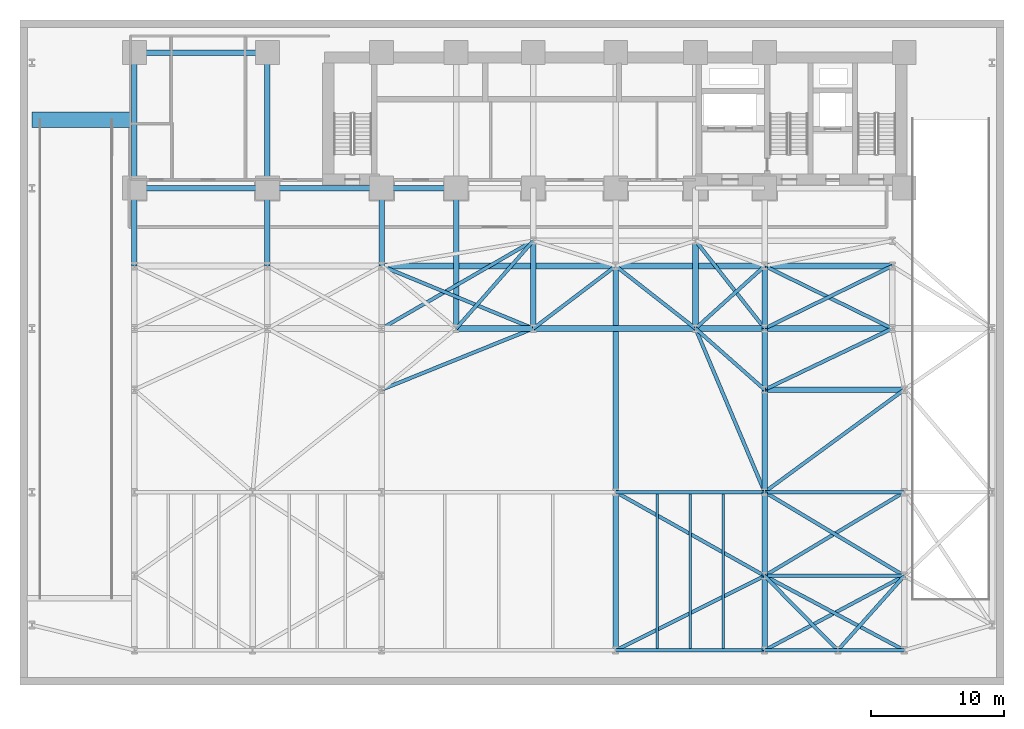
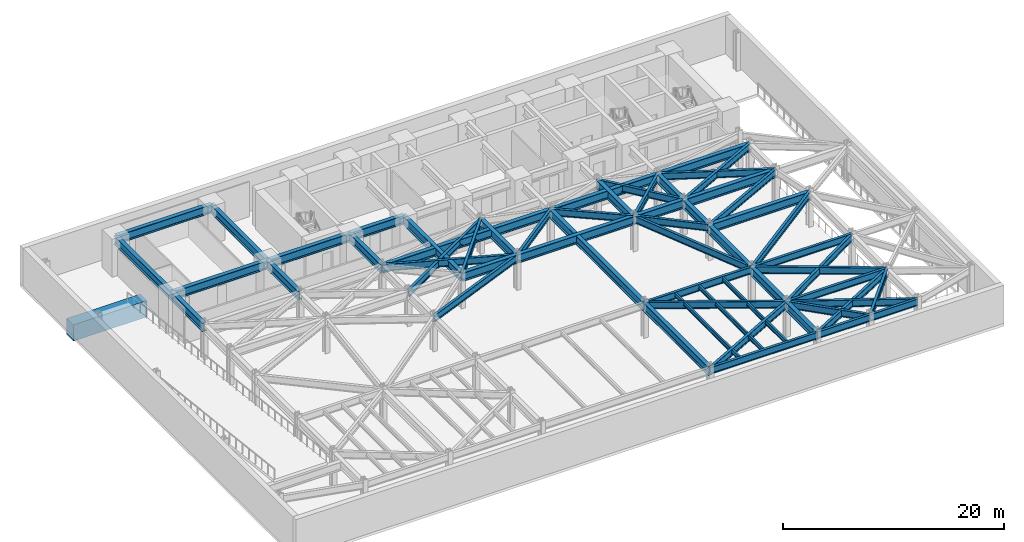
# One storey, part 2 of 11: 59 beams.
"""IFC4 building model written with IfcOpenShell, lengths in metres."""

import ifcopenshell
import ifcopenshell.guid

model = None  # the IFC model being written
_history = None  # IfcOwnerHistory: only IFC2X3 demands one
_inside = {}  # id of a spatial element -> (the spatial element, [elements in it])
_under = {}  # id of a project, library or spatial element -> (it, [spatial elements below it])
_declared = {}  # id of a project -> (the project, [libraries it declares])
_typed = {}  # id of a type object -> (the type object, [elements of that type])
_made_of = {}  # id of a material, layer set ... -> (it, [elements and type objects made of it])


def new_model(schema):
    """Start an empty IFC model of exactly this schema.

    Asked for "IFC4X3", IfcOpenShell would pick the latest addendum, in which some entities
    have other attributes; the version numbers below select the first issue.
    IFC2X3 requires an IfcOwnerHistory on every rooted entity: one is made here for all.
    """
    global model, _history
    if schema == "IFC4X3":
        model = ifcopenshell.file(schema_version=(4, 3, 0, 0))
    else:
        model = ifcopenshell.file(schema=schema)
    _inside.clear()
    _under.clear()
    _declared.clear()
    _typed.clear()
    _made_of.clear()
    _history = None
    if model.schema == "IFC2X3":
        org = make("IfcOrganization", Name="unknown")
        user = make(
            "IfcPersonAndOrganization",
            ThePerson=make("IfcPerson", FamilyName="unknown"),
            TheOrganization=org,
        )
        app = make(
            "IfcApplication",
            ApplicationDeveloper=org,
            Version="unknown",
            ApplicationFullName="unknown",
            ApplicationIdentifier="unknown",
        )
        _history = make(
            "IfcOwnerHistory",
            OwningUser=user,
            OwningApplication=app,
            ChangeAction="ADDED",
            CreationDate=0,
        )
    return model


def make(cls, **values):
    """One entity of the class cls with the attributes given. An attribute that is None is left unset."""
    return model.create_entity(
        cls, **{name: value for name, value in values.items() if value is not None}
    )


def rooted(cls, **values):
    """An entity with a GlobalId (a new one), such as an element, a storey or a relation."""
    return make(cls, GlobalId=ifcopenshell.guid.new(), OwnerHistory=_history, **values)


def si_unit(unit_type, name, prefix=None):
    """IfcSIUnit, for example si_unit("LENGTHUNIT", "METRE", prefix="MILLI")."""
    return make("IfcSIUnit", UnitType=unit_type, Prefix=prefix, Name=name)


def assignment(units):
    """IfcUnitAssignment: the units of a project."""
    return None if units is None else make("IfcUnitAssignment", Units=units)


def point(xyz):
    """IfcCartesianPoint."""
    return None if xyz is None else make("IfcCartesianPoint", Coordinates=xyz)


def direction(xyz):
    """IfcDirection."""
    return None if xyz is None else make("IfcDirection", DirectionRatios=xyz)


def frame(location, z_axis=None, x_axis=None):
    """IfcAxis2Placement3D, a coordinate frame: its origin and axes. An axis left out is left unset."""
    return make(
        "IfcAxis2Placement3D",
        Location=point(location),
        Axis=direction(z_axis),
        RefDirection=direction(x_axis),
    )


def frame_2d(location, x_axis=None):
    """IfcAxis2Placement2D, a coordinate frame in the plane: its origin and x axis."""
    return make(
        "IfcAxis2Placement2D", Location=point(location), RefDirection=direction(x_axis)
    )


def origin():
    """The frame at (0, 0, 0) with its axes left unset."""
    return frame((0.0, 0.0, 0.0))


def origin_2d():
    """The frame at (0, 0) in the plane with its x axis left unset."""
    return frame_2d((0.0, 0.0))


def place(relative_to, where):
    """IfcLocalPlacement: puts the frame where relative to a parent placement (None: the world)."""
    return make(
        "IfcLocalPlacement", PlacementRelTo=relative_to, RelativePlacement=where
    )


def context(
    kind, dimensions, precision=None, world=None, true_north=None, identifier=None
):
    """IfcGeometricRepresentationContext, for example the 3D "Model" context."""
    return make(
        "IfcGeometricRepresentationContext",
        ContextIdentifier=identifier,
        ContextType=kind,
        CoordinateSpaceDimension=dimensions,
        Precision=precision,
        WorldCoordinateSystem=world,
        TrueNorth=true_north,
    )


def subcontext(parent, identifier, kind, view, scale=None):
    """IfcGeometricRepresentationSubContext, for example "Body" below "Model"."""
    return make(
        "IfcGeometricRepresentationSubContext",
        ContextIdentifier=identifier,
        ContextType=kind,
        ParentContext=parent,
        TargetScale=scale,
        TargetView=view,
    )


def project(units=None, contexts=None):
    """IfcProject with its units and contexts."""
    return rooted(
        "IfcProject",
        Name="project",
        RepresentationContexts=contexts,
        UnitsInContext=assignment(units),
    )


def spatial(cls, under=None, at=None, **own):
    """A site, building, storey or space (cls), placed at a placement, below another one or the project."""
    s = rooted(cls, ObjectPlacement=at, **own)
    if under is not None:
        _under.setdefault(under.id(), (under, []))[1].append(s)
    return s


def profile(cls, at=None, kind="AREA", **sizes):
    """A parametric profile (cls). Its sizes go by their IFC names, for example OverallWidth=200.0."""
    return make(cls, ProfileType=kind, Position=at, **sizes)


def rectangle(**sizes):
    """IfcRectangleProfileDef."""
    return profile("IfcRectangleProfileDef", **sizes)


def i_section(**sizes):
    """IfcIShapeProfileDef."""
    return profile("IfcIShapeProfileDef", **sizes)


def extrude(swept, where, along, depth):
    """IfcExtrudedAreaSolid: the profile swept, set in the frame where, extruded along a direction by depth."""
    return make(
        "IfcExtrudedAreaSolid",
        SweptArea=swept,
        Position=where,
        ExtrudedDirection=direction(along),
        Depth=depth,
    )


def shape(context_of_items, identifier, shape_type, items):
    """IfcShapeRepresentation: the items that make up one representation, for example the "Body"."""
    return make(
        "IfcShapeRepresentation",
        ContextOfItems=context_of_items,
        RepresentationIdentifier=identifier,
        RepresentationType=shape_type,
        Items=items,
    )


def material(Name=None, Category=None):
    """IfcMaterial."""
    return make("IfcMaterial", Name=Name, Category=Category)


def material_profile(
    of_material, cross_section, Name=None, Category=None, Priority=None
):
    """IfcMaterialProfile: a cross section and its material."""
    return make(
        "IfcMaterialProfile",
        Name=Name,
        Material=of_material,
        Profile=cross_section,
        Priority=Priority,
        Category=Category,
    )


def profile_set(profiles, Name=None, composite=None):
    """IfcMaterialProfileSet."""
    return make(
        "IfcMaterialProfileSet",
        Name=Name,
        MaterialProfiles=profiles,
        CompositeProfile=composite,
    )


def made_of(thing, what):
    """Note that an element or type object is made of a material, layer set ...; save() writes the relation."""
    if what is not None:
        _made_of.setdefault(what.id(), (what, []))[1].append(thing)
    return thing


def type_object(cls, material=None, **own):
    """A type object (cls), such as IfcWallType, which elements share."""
    return made_of(rooted(cls, **own), material)


def element(
    cls,
    number,
    at=None,
    inside=None,
    cuts=None,
    type_object=None,
    material=None,
    context=None,
    identifier="Body",
    shape_type=None,
    held_by="IfcProductDefinitionShape",
    body=None,
    shapes=None,
    **own,
):
    """One element of the class cls, such as IfcWall. Its Tag is "e" and its number.

    at: its placement. inside: the storey or other place that contains it. cuts: it is an
    opening in that element (IfcRelVoidsElement). A single representation is given by context,
    identifier, shape_type and body (its items); several are given by shapes. held_by: the class
    of the entity that holds the representations. save() writes the other relations.
    """
    e = rooted(cls, Tag="e%d" % number, ObjectPlacement=at, **own)
    if body is not None:
        shapes = [shape(context, identifier, shape_type, body)]
    if shapes is not None:
        e.Representation = make(held_by, Representations=shapes)
    if inside is not None:
        _inside.setdefault(inside.id(), (inside, []))[1].append(e)
    if cuts is not None:
        rooted(
            "IfcRelVoidsElement", RelatingBuildingElement=cuts, RelatedOpeningElement=e
        )
    if type_object is not None:
        _typed.setdefault(type_object.id(), (type_object, []))[1].append(e)
    return made_of(e, material)


def aggregate(whole, parts):
    """IfcRelAggregates: a whole, such as a stair, and the parts it consists of."""
    return rooted("IfcRelAggregates", RelatingObject=whole, RelatedObjects=parts)


def save(model, path):
    """Write the relations noted so far, then the file.

    IfcRelAggregates (storeys below a building ...), IfcRelContainedInSpatialStructure (elements
    in a storey), IfcRelDefinesByType, IfcRelAssociatesMaterial and IfcRelDeclares: one each for
    every whole, place, type object, material and project.
    """
    for whole, parts in _under.values():
        aggregate(whole, parts)
    for where, things in _inside.values():
        rooted(
            "IfcRelContainedInSpatialStructure",
            RelatedElements=things,
            RelatingStructure=where,
        )
    for kind, things in _typed.values():
        rooted("IfcRelDefinesByType", RelatedObjects=things, RelatingType=kind)
    for what, things in _made_of.values():
        rooted("IfcRelAssociatesMaterial", RelatedObjects=things, RelatingMaterial=what)
    for by, libraries in _declared.values():
        rooted("IfcRelDeclares", RelatingContext=by, RelatedDefinitions=libraries)
    model.write(path)


model = new_model("IFC4")

# Units and contexts
model_context = context("Model", 3, precision=1e-05, world=origin(), true_north=direction((0.0, 1.0)))
body_context = subcontext(model_context, "Body", "Model", "MODEL_VIEW")
ifc_project = project(units=[si_unit("LENGTHUNIT", "METRE"), si_unit("AREAUNIT", "SQUARE_METRE"), si_unit("VOLUMEUNIT", "CUBIC_METRE"), si_unit("PLANEANGLEUNIT", "RADIAN"), si_unit("MASSUNIT", "GRAM", prefix="KILO")], contexts=[model_context])

# Site, building, storey
site_placement = place(None, origin())
site = spatial("IfcSite", under=ifc_project, at=site_placement, CompositionType="ELEMENT")
building_placement = place(site_placement, origin())
building = spatial("IfcBuilding", under=site, at=building_placement, Name="Kravanh Interchange Tower", CompositionType="ELEMENT")
storey_placement = place(building_placement, frame((0.0, 0.0, -4.199951171875)))
storey = spatial("IfcBuildingStorey", under=building, at=storey_placement, Name="B1", CompositionType="ELEMENT", Elevation=-4.199951171875)

# Beams
ifc_material_1 = material(Name="Structural Steel S450", Category="steel")
ifc_material_profile_1 = material_profile(ifc_material_1, i_section(OverallWidth=0.423095703125, OverallDepth=0.947998046875, WebThickness=0.02392578125, FlangeThickness=0.042724609375, FilletRadius=0.028076171875, at=origin_2d()), Name="W36X302")
ifc_profile_set_1 = profile_set([ifc_material_profile_1], Name="Structural Steel S450")
beam_type_1 = type_object("IfcBeamType", Name="Floor Beam W36X302 Structural Steel S450", PredefinedType="BEAM", material=ifc_profile_set_1)
beam_1_placement = place(storey_placement, frame((44.800048828125, 2.60009765625, 3.3759765625), z_axis=(0.0, 1.0, 0.0), x_axis=(-1.0, 0.0, 0.0)))
element("IfcBeam", 1, at=beam_1_placement, inside=storey, type_object=beam_type_1, Name="B1 Primary Floor Girder 11", PredefinedType="BEAM", context=body_context, shape_type="SweptSolid", body=[
    extrude(i_section(OverallWidth=0.423095703125, OverallDepth=0.947998046875, WebThickness=0.02392578125, FlangeThickness=0.042724609375, FilletRadius=0.028076171875, at=origin_2d()), origin(), (0.0, 0.0, 1.0), 11.89990234375),
])
beam_2_placement = place(storey_placement, frame((56.0, 2.60009765625, 3.3759765625), z_axis=(0.0, 1.0, 0.0), x_axis=(-1.0, 0.0, 0.0)))
element("IfcBeam", 2, at=beam_2_placement, inside=storey, type_object=beam_type_1, Name="B1 Primary Floor Girder 14", PredefinedType="BEAM", context=body_context, shape_type="SweptSolid", body=[
    extrude(i_section(OverallWidth=0.423095703125, OverallDepth=0.947998046875, WebThickness=0.02392578125, FlangeThickness=0.042724609375, FilletRadius=0.028076171875, at=origin_2d()), origin(), (0.0, 0.0, 1.0), 5.599853515625),
])
beam_3_placement = place(storey_placement, frame((56.0, 8.199951171875, 3.3759765625), z_axis=(0.0, 1.0, 0.0), x_axis=(-1.0, 0.0, 0.0)))
element("IfcBeam", 3, at=beam_3_placement, inside=storey, type_object=beam_type_1, Name="B1 Primary Floor Girder 29", PredefinedType="BEAM", context=body_context, shape_type="SweptSolid", body=[
    extrude(i_section(OverallWidth=0.423095703125, OverallDepth=0.947998046875, WebThickness=0.02392578125, FlangeThickness=0.042724609375, FilletRadius=0.028076171875, at=origin_2d()), origin(), (0.0, 0.0, 1.0), 6.300048828125),
])
beam_4_placement = place(storey_placement, frame((44.800048828125, 14.5, 3.3759765625), z_axis=(0.0, 1.0, 0.0), x_axis=(-1.0, 0.0, 0.0)))
element("IfcBeam", 4, at=beam_4_placement, inside=storey, type_object=beam_type_1, Name="B1 Primary Floor Girder 48", PredefinedType="BEAM", context=body_context, shape_type="SweptSolid", body=[
    extrude(i_section(OverallWidth=0.423095703125, OverallDepth=0.947998046875, WebThickness=0.02392578125, FlangeThickness=0.042724609375, FilletRadius=0.028076171875, at=origin_2d()), origin(), (0.0, 0.0, 1.0), 17.0),
])
beam_5_placement = place(storey_placement, frame((56.0, 14.5, 3.3759765625), z_axis=(0.0, 1.0, 0.0), x_axis=(-1.0, 0.0, 0.0)))
element("IfcBeam", 5, at=beam_5_placement, inside=storey, type_object=beam_type_1, Name="B1 Primary Floor Girder 49", PredefinedType="BEAM", context=body_context, shape_type="SweptSolid", body=[
    extrude(i_section(OverallWidth=0.423095703125, OverallDepth=0.947998046875, WebThickness=0.02392578125, FlangeThickness=0.042724609375, FilletRadius=0.028076171875, at=origin_2d()), origin(), (0.0, 0.0, 1.0), 7.699951171875),
])
beam_6_placement = place(storey_placement, frame((56.0, 22.199951171875, 3.3759765625), z_axis=(0.0, 1.0, 0.0), x_axis=(-1.0, 0.0, 0.0)))
element("IfcBeam", 6, at=beam_6_placement, inside=storey, type_object=beam_type_1, Name="B1 Primary Floor Girder 65", PredefinedType="BEAM", context=body_context, shape_type="SweptSolid", body=[
    extrude(i_section(OverallWidth=0.423095703125, OverallDepth=0.947998046875, WebThickness=0.02392578125, FlangeThickness=0.042724609375, FilletRadius=0.028076171875, at=origin_2d()), origin(), (0.0, 0.0, 1.0), 4.60009765625),
])
beam_7_placement = place(storey_placement, frame((56.0, 22.199951171875, 3.3759765625), z_axis=(1.0, 0.0, 0.0), x_axis=(0.0, 1.0, 0.0)))
element("IfcBeam", 7, at=beam_7_placement, inside=storey, type_object=beam_type_1, Name="B1 Primary Floor Girder 67", PredefinedType="BEAM", context=body_context, shape_type="SweptSolid", body=[
    extrude(i_section(OverallWidth=0.423095703125, OverallDepth=0.947998046875, WebThickness=0.02392578125, FlangeThickness=0.042724609375, FilletRadius=0.028076171875, at=origin_2d()), origin(), (0.0, 0.0, 1.0), 10.5),
])
beam_8_placement = place(storey_placement, frame((32.800048828125, 26.800048828125, 3.3759765625), z_axis=(1.0, 0.0, 0.0), x_axis=(0.0, 1.0, 0.0)))
element("IfcBeam", 8, at=beam_8_placement, inside=storey, type_object=beam_type_1, Name="B1 Primary Floor Girder 85", PredefinedType="BEAM", context=body_context, shape_type="SweptSolid", body=[
    extrude(i_section(OverallWidth=0.423095703125, OverallDepth=0.947998046875, WebThickness=0.02392578125, FlangeThickness=0.042724609375, FilletRadius=0.028076171875, at=origin_2d()), origin(), (0.0, 0.0, 1.0), 5.800048828125),
])
beam_9_placement = place(storey_placement, frame((32.800048828125, 26.800048828125, 3.3759765625), z_axis=(0.0, 1.0, 0.0), x_axis=(-1.0, 0.0, 0.0)))
element("IfcBeam", 9, at=beam_9_placement, inside=storey, type_object=beam_type_1, Name="B1 Primary Floor Girder 88", PredefinedType="BEAM", context=body_context, shape_type="SweptSolid", body=[
    extrude(i_section(OverallWidth=0.423095703125, OverallDepth=0.947998046875, WebThickness=0.02392578125, FlangeThickness=0.042724609375, FilletRadius=0.028076171875, at=origin_2d()), origin(), (0.0, 0.0, 1.0), 10.550048828125),
])
beam_10_placement = place(storey_placement, frame((38.60009765625, 26.800048828125, 3.3759765625), z_axis=(0.0, 1.0, 0.0), x_axis=(-1.0, 0.0, 0.0)))
element("IfcBeam", 10, at=beam_10_placement, inside=storey, type_object=beam_type_1, Name="B1 Primary Floor Girder 89", PredefinedType="BEAM", context=body_context, shape_type="SweptSolid", body=[
    extrude(i_section(OverallWidth=0.423095703125, OverallDepth=0.947998046875, WebThickness=0.02392578125, FlangeThickness=0.042724609375, FilletRadius=0.028076171875, at=origin_2d()), origin(), (0.0, 0.0, 1.0), 6.599853515625),
])
beam_11_placement = place(storey_placement, frame((38.60009765625, 26.800048828125, 3.3759765625), z_axis=(1.0, 0.0, 0.0), x_axis=(0.0, 1.0, 0.0)))
element("IfcBeam", 11, at=beam_11_placement, inside=storey, type_object=beam_type_1, Name="B1 Primary Floor Girder 91", PredefinedType="BEAM", context=body_context, shape_type="SweptSolid", body=[
    extrude(i_section(OverallWidth=0.423095703125, OverallDepth=0.947998046875, WebThickness=0.02392578125, FlangeThickness=0.042724609375, FilletRadius=0.028076171875, at=origin_2d()), origin(), (0.0, 0.0, 1.0), 12.199951171875),
])
beam_12_placement = place(storey_placement, frame((50.800048828125, 26.800048828125, 3.3759765625), z_axis=(1.0, 0.0, 0.0), x_axis=(0.0, 1.0, 0.0)))
element("IfcBeam", 12, at=beam_12_placement, inside=storey, type_object=beam_type_1, Name="B1 Primary Floor Girder 93", PredefinedType="BEAM", context=body_context, shape_type="SweptSolid", body=[
    extrude(i_section(OverallWidth=0.423095703125, OverallDepth=0.947998046875, WebThickness=0.02392578125, FlangeThickness=0.042724609375, FilletRadius=0.028076171875, at=origin_2d()), origin(), (0.0, 0.0, 1.0), 5.199951171875),
])
beam_13_placement = place(storey_placement, frame((50.800048828125, 26.800048828125, 3.3759765625), z_axis=(0.0, 1.0, 0.0), x_axis=(-1.0, 0.0, 0.0)))
element("IfcBeam", 13, at=beam_13_placement, inside=storey, type_object=beam_type_1, Name="B1 Primary Floor Girder 94", PredefinedType="BEAM", context=body_context, shape_type="SweptSolid", body=[
    extrude(i_section(OverallWidth=0.423095703125, OverallDepth=0.947998046875, WebThickness=0.02392578125, FlangeThickness=0.042724609375, FilletRadius=0.028076171875, at=origin_2d()), origin(), (0.0, 0.0, 1.0), 6.599853515625),
])
beam_14_placement = place(storey_placement, frame((56.0, 26.800048828125, 3.3759765625), z_axis=(0.0, 1.0, 0.0), x_axis=(-1.0, 0.0, 0.0)))
element("IfcBeam", 14, at=beam_14_placement, inside=storey, type_object=beam_type_1, Name="B1 Primary Floor Girder 97", PredefinedType="BEAM", context=body_context, shape_type="SweptSolid", body=[
    extrude(i_section(OverallWidth=0.423095703125, OverallDepth=0.947998046875, WebThickness=0.02392578125, FlangeThickness=0.042724609375, FilletRadius=0.028076171875, at=origin_2d()), origin(), (0.0, 0.0, 1.0), 4.699951171875),
])
beam_15_placement = place(storey_placement, frame((56.0, 26.800048828125, 3.3759765625), z_axis=(1.0, 0.0, 0.0), x_axis=(0.0, 1.0, 0.0)))
element("IfcBeam", 15, at=beam_15_placement, inside=storey, type_object=beam_type_1, Name="B1 Primary Floor Girder 99", PredefinedType="BEAM", context=body_context, shape_type="SweptSolid", body=[
    extrude(i_section(OverallWidth=0.423095703125, OverallDepth=0.947998046875, WebThickness=0.02392578125, FlangeThickness=0.042724609375, FilletRadius=0.028076171875, at=origin_2d()), origin(), (0.0, 0.0, 1.0), 9.60009765625),
])
for number, where, z_axis, x_axis, name in (
    (16, (8.60009765625, 31.5, 3.3759765625), (0.0, 1.0, 0.0), (-1.0, 0.0, 0.0), "B1 Primary Floor Girder 104"),
    (17, (18.60009765625, 31.5, 3.3759765625), (0.0, 1.0, 0.0), (-1.0, 0.0, 0.0), "B1 Primary Floor Girder 108"),
    (18, (27.199951171875, 31.5, 3.3759765625), (0.0, 1.0, 0.0), (-1.0, 0.0, 0.0), "B1 Primary Floor Girder 110"),
):
    element("IfcBeam", number, at=place(storey_placement, frame(where, z_axis=z_axis, x_axis=x_axis)), inside=storey, type_object=beam_type_1, Name=name, PredefinedType="BEAM", context=body_context, shape_type="SweptSolid", body=[
        extrude(i_section(OverallWidth=0.423095703125, OverallDepth=0.947998046875, WebThickness=0.02392578125, FlangeThickness=0.042724609375, FilletRadius=0.028076171875, at=origin_2d()), origin(), (0.0, 0.0, 1.0), 5.85009765625),
    ])
beam_16_placement = place(storey_placement, frame((27.199951171875, 31.5, 3.3759765625), z_axis=(1.0, 0.0, 0.0), x_axis=(0.0, 1.0, 0.0)))
element("IfcBeam", 19, at=beam_16_placement, inside=storey, type_object=beam_type_1, Name="B1 Primary Floor Girder 112", PredefinedType="BEAM", context=body_context, shape_type="SweptSolid", body=[
    extrude(i_section(OverallWidth=0.423095703125, OverallDepth=0.947998046875, WebThickness=0.02392578125, FlangeThickness=0.042724609375, FilletRadius=0.028076171875, at=origin_2d()), origin(), (0.0, 0.0, 1.0), 17.60009765625),
])
beam_17_placement = place(storey_placement, frame((44.800048828125, 31.5, 3.3759765625), z_axis=(1.0, 0.0, 0.0), x_axis=(0.0, 1.0, 0.0)))
element("IfcBeam", 20, at=beam_17_placement, inside=storey, type_object=beam_type_1, Name="B1 Primary Floor Girder 116", PredefinedType="BEAM", context=body_context, shape_type="SweptSolid", body=[
    extrude(i_section(OverallWidth=0.423095703125, OverallDepth=0.947998046875, WebThickness=0.02392578125, FlangeThickness=0.042724609375, FilletRadius=0.028076171875, at=origin_2d()), origin(), (0.0, 0.0, 1.0), 11.199951171875),
])
beam_18_placement = place(storey_placement, frame((56.0, 31.5, 3.3759765625), z_axis=(1.0, 0.0, 0.0), x_axis=(0.0, 1.0, 0.0)))
element("IfcBeam", 21, at=beam_18_placement, inside=storey, type_object=beam_type_1, Name="B1 Primary Floor Girder 119", PredefinedType="BEAM", context=body_context, shape_type="SweptSolid", body=[
    extrude(i_section(OverallWidth=0.423095703125, OverallDepth=0.947998046875, WebThickness=0.02392578125, FlangeThickness=0.042724609375, FilletRadius=0.028076171875, at=origin_2d()), origin(), (0.0, 0.0, 1.0), 9.60009765625),
])
beam_19_placement = place(storey_placement, frame((32.800048828125, 37.35009765625, 3.3759765625), z_axis=(-1.0, 0.0, 0.0), x_axis=(0.0, -1.0, 0.0)))
element("IfcBeam", 22, at=beam_19_placement, inside=storey, type_object=beam_type_1, Name="B1 Primary Floor Girder 149", PredefinedType="BEAM", context=body_context, shape_type="SweptSolid", body=[
    extrude(i_section(OverallWidth=0.423095703125, OverallDepth=0.947998046875, WebThickness=0.02392578125, FlangeThickness=0.042724609375, FilletRadius=0.028076171875, at=origin_2d()), origin(), (0.0, 0.0, 1.0), 5.60009765625),
])
beam_20_placement = place(storey_placement, frame((27.199951171875, 37.35009765625, 3.3759765625), z_axis=(-1.0, 0.0, 0.0), x_axis=(0.0, -1.0, 0.0)))
element("IfcBeam", 23, at=beam_20_placement, inside=storey, type_object=beam_type_1, Name="B1 Primary Floor Girder 152", PredefinedType="BEAM", context=body_context, shape_type="SweptSolid", body=[
    extrude(i_section(OverallWidth=0.423095703125, OverallDepth=0.947998046875, WebThickness=0.02392578125, FlangeThickness=0.042724609375, FilletRadius=0.028076171875, at=origin_2d()), origin(), (0.0, 0.0, 1.0), 8.599853515625),
])
beam_21_placement = place(storey_placement, frame((18.60009765625, 37.35009765625, 3.3759765625), z_axis=(-1.0, 0.0, 0.0), x_axis=(0.0, -1.0, 0.0)))
element("IfcBeam", 24, at=beam_21_placement, inside=storey, type_object=beam_type_1, Name="B1 Primary Floor Girder 155", PredefinedType="BEAM", context=body_context, shape_type="SweptSolid", body=[
    extrude(i_section(OverallWidth=0.423095703125, OverallDepth=0.947998046875, WebThickness=0.02392578125, FlangeThickness=0.042724609375, FilletRadius=0.028076171875, at=origin_2d()), origin(), (0.0, 0.0, 1.0), 10.0),
])
beam_22_placement = place(storey_placement, frame((18.60009765625, 37.35009765625, 3.3759765625), z_axis=(0.0, 1.0, 0.0), x_axis=(-1.0, 0.0, 0.0)))
element("IfcBeam", 25, at=beam_22_placement, inside=storey, type_object=beam_type_1, Name="B1 Primary Floor Girder 156", PredefinedType="BEAM", context=body_context, shape_type="SweptSolid", body=[
    extrude(i_section(OverallWidth=0.423095703125, OverallDepth=0.947998046875, WebThickness=0.02392578125, FlangeThickness=0.042724609375, FilletRadius=0.028076171875, at=origin_2d()), origin(), (0.0, 0.0, 1.0), 10.199951171875),
])
beam_23_placement = place(storey_placement, frame((18.60009765625, 47.550048828125, 3.3759765625), z_axis=(-1.0, 0.0, 0.0), x_axis=(0.0, -1.0, 0.0)))
element("IfcBeam", 26, at=beam_23_placement, inside=storey, type_object=beam_type_1, Name="B1 Primary Floor Girder 157", PredefinedType="BEAM", context=body_context, shape_type="SweptSolid", body=[
    extrude(i_section(OverallWidth=0.423095703125, OverallDepth=0.947998046875, WebThickness=0.02392578125, FlangeThickness=0.042724609375, FilletRadius=0.028076171875, at=origin_2d()), origin(), (0.0, 0.0, 1.0), 10.0),
])
beam_24_placement = place(storey_placement, frame((8.60009765625, 37.35009765625, 3.3759765625), z_axis=(0.0, 1.0, 0.0), x_axis=(-1.0, 0.0, 0.0)))
element("IfcBeam", 27, at=beam_24_placement, inside=storey, type_object=beam_type_1, Name="B1 Primary Floor Girder 158", PredefinedType="BEAM", context=body_context, shape_type="SweptSolid", body=[
    extrude(i_section(OverallWidth=0.423095703125, OverallDepth=0.947998046875, WebThickness=0.02392578125, FlangeThickness=0.042724609375, FilletRadius=0.028076171875, at=origin_2d()), origin(), (0.0, 0.0, 1.0), 10.199951171875),
])
ifc_material_2 = material(Name="Structural Steel S355", Category="steel")
ifc_material_profile_2 = material_profile(ifc_material_2, i_section(OverallWidth=0.18994140625, OverallDepth=0.45703125, WebThickness=0.009033203125, FlangeThickness=0.014404296875, FilletRadius=0.01806640625, at=origin_2d()), Name="W18X50")
ifc_profile_set_2 = profile_set([ifc_material_profile_2], Name="Structural Steel S355")
beam_type_2 = type_object("IfcBeamType", Name="Floor Joist W18X50 Structural Steel S355", PredefinedType="JOIST", material=ifc_profile_set_2)
for number, where, z_axis, x_axis, name in (
    (28, (47.925048828125, 2.728515625, 3.621337890625), (0.0, 1.0, 0.0), (-1.0, 0.0, 0.0), "B1 Secondary Floor Joist 10"),
    (29, (50.39990234375, 2.728515625, 3.621337890625), (0.0, 1.0, 0.0), (-1.0, 0.0, 0.0), "B1 Secondary Floor Joist 11"),
    (30, (52.875, 2.728515625, 3.621337890625), (0.0, 1.0, 0.0), (-1.0, 0.0, 0.0), "B1 Secondary Floor Joist 12"),
):
    element("IfcBeam", number, at=place(storey_placement, frame(where, z_axis=z_axis, x_axis=x_axis)), inside=storey, type_object=beam_type_2, Name=name, PredefinedType="JOIST", context=body_context, shape_type="SweptSolid", body=[
        extrude(i_section(OverallWidth=0.18994140625, OverallDepth=0.45703125, WebThickness=0.009033203125, FlangeThickness=0.014404296875, FilletRadius=0.01806640625, at=origin_2d()), origin(), (0.0, 0.0, 1.0), 11.64306640625),
    ])
ifc_material_3 = material(Name="Structural Steel S355", Category="steel")
ifc_material_profile_3 = material_profile(ifc_material_3, i_section(OverallWidth=0.26708984375, OverallDepth=0.761962890625, WebThickness=0.014404296875, FlangeThickness=0.021484375, FilletRadius=0.02490234375, at=origin_2d()), Name="W30X116")
ifc_profile_set_3 = profile_set([ifc_material_profile_3], Name="Structural Steel S355")
beam_type_3 = type_object("IfcBeamType", Name="Floor Spandrel W30X116 Structural Steel S355", PredefinedType="SPANDREL", material=ifc_profile_set_3)
beam_25_placement = place(storey_placement, frame((44.800048828125, 2.60009765625, 3.468994140625), z_axis=(1.0, 0.0, 0.0), x_axis=(0.0, 1.0, 0.0)))
element("IfcBeam", 31, at=beam_25_placement, inside=storey, type_object=beam_type_3, Name="B1 Perimeter Spandrel 10", PredefinedType="SPANDREL", context=body_context, shape_type="SweptSolid", body=[
    extrude(i_section(OverallWidth=0.26708984375, OverallDepth=0.761962890625, WebThickness=0.014404296875, FlangeThickness=0.021484375, FilletRadius=0.02490234375, at=origin_2d()), origin(), (0.0, 0.0, 1.0), 11.199951171875),
])
beam_26_placement = place(storey_placement, frame((44.800048828125, 2.60009765625, 3.468994140625), z_axis=(0.894431090393, 0.447205796629, 0.0), x_axis=(-0.447205796629, 0.894431090393, 0.0)))
element("IfcBeam", 32, at=beam_26_placement, inside=storey, type_object=beam_type_3, Name="B1 Perimeter Spandrel 12", PredefinedType="SPANDREL", context=body_context, shape_type="SweptSolid", body=[
    extrude(i_section(OverallWidth=0.26708984375, OverallDepth=0.761962890625, WebThickness=0.014404296875, FlangeThickness=0.021484375, FilletRadius=0.02490234375, at=origin_2d()), origin(), (0.0, 0.0, 1.0), 12.52197265625),
])
beam_27_placement = place(storey_placement, frame((56.0, 2.60009765625, 3.468994140625), z_axis=(1.0, 0.0, 0.0), x_axis=(0.0, 1.0, 0.0)))
element("IfcBeam", 33, at=beam_27_placement, inside=storey, type_object=beam_type_3, Name="B1 Perimeter Spandrel 13", PredefinedType="SPANDREL", context=body_context, shape_type="SweptSolid", body=[
    extrude(i_section(OverallWidth=0.26708984375, OverallDepth=0.761962890625, WebThickness=0.014404296875, FlangeThickness=0.021484375, FilletRadius=0.02490234375, at=origin_2d()), origin(), (0.0, 0.0, 1.0), 5.5),
])
beam_28_placement = place(storey_placement, frame((56.0, 2.60009765625, 3.468994140625), z_axis=(0.882358052411, 0.470578651603, 0.0), x_axis=(-0.470578651603, 0.882358052411, 0.0)))
element("IfcBeam", 34, at=beam_28_placement, inside=storey, type_object=beam_type_3, Name="B1 Perimeter Spandrel 15", PredefinedType="SPANDREL", context=body_context, shape_type="SweptSolid", body=[
    extrude(i_section(OverallWidth=0.26708984375, OverallDepth=0.761962890625, WebThickness=0.014404296875, FlangeThickness=0.021484375, FilletRadius=0.02490234375, at=origin_2d()), origin(), (0.0, 0.0, 1.0), 11.89990234375),
])
beam_29_placement = place(storey_placement, frame((61.5, 2.60009765625, 3.468994140625), z_axis=(1.0, 0.0, 0.0), x_axis=(0.0, 1.0, 0.0)))
element("IfcBeam", 35, at=beam_29_placement, inside=storey, type_object=beam_type_3, Name="B1 Perimeter Spandrel 16", PredefinedType="SPANDREL", context=body_context, shape_type="SweptSolid", body=[
    extrude(i_section(OverallWidth=0.26708984375, OverallDepth=0.761962890625, WebThickness=0.014404296875, FlangeThickness=0.021484375, FilletRadius=0.02490234375, at=origin_2d()), origin(), (0.0, 0.0, 1.0), 5.0),
])
beam_30_placement = place(storey_placement, frame((61.5, 2.60009765625, 3.468994140625), z_axis=(0.666025463167, 0.745929006282, 0.0), x_axis=(-0.745929006282, 0.666025463167, 0.0)))
element("IfcBeam", 36, at=beam_30_placement, inside=storey, type_object=beam_type_3, Name="B1 Perimeter Spandrel 17", PredefinedType="SPANDREL", context=body_context, shape_type="SweptSolid", body=[
    extrude(i_section(OverallWidth=0.26708984375, OverallDepth=0.761962890625, WebThickness=0.014404296875, FlangeThickness=0.021484375, FilletRadius=0.02490234375, at=origin_2d()), origin(), (0.0, 0.0, 1.0), 7.50732421875),
])
beam_31_placement = place(storey_placement, frame((61.5, 2.60009765625, 3.468994140625), z_axis=(-0.700717344595, 0.71343899738, 0.0), x_axis=(-0.71343899738, -0.700717344595, 0.0)))
element("IfcBeam", 37, at=beam_31_placement, inside=storey, type_object=beam_type_3, Name="B1 Perimeter Spandrel 18", PredefinedType="SPANDREL", context=body_context, shape_type="SweptSolid", body=[
    extrude(i_section(OverallWidth=0.26708984375, OverallDepth=0.761962890625, WebThickness=0.014404296875, FlangeThickness=0.021484375, FilletRadius=0.02490234375, at=origin_2d()), origin(), (0.0, 0.0, 1.0), 7.84912109375),
])
beam_32_placement = place(storey_placement, frame((66.5, 2.60009765625, 3.468994140625), z_axis=(-0.882358052411, 0.470578651603, 0.0), x_axis=(-0.470578651603, -0.882358052411, 0.0)))
element("IfcBeam", 38, at=beam_32_placement, inside=storey, type_object=beam_type_3, Name="B1 Perimeter Spandrel 22", PredefinedType="SPANDREL", context=body_context, shape_type="SweptSolid", body=[
    extrude(i_section(OverallWidth=0.26708984375, OverallDepth=0.761962890625, WebThickness=0.014404296875, FlangeThickness=0.021484375, FilletRadius=0.02490234375, at=origin_2d()), origin(), (0.0, 0.0, 1.0), 11.89990234375),
])
beam_33_placement = place(storey_placement, frame((56.0, 8.199951171875, 3.468994140625), z_axis=(1.0, 0.0, 0.0), x_axis=(0.0, 1.0, 0.0)))
element("IfcBeam", 39, at=beam_33_placement, inside=storey, type_object=beam_type_3, Name="B1 Perimeter Spandrel 30", PredefinedType="SPANDREL", context=body_context, shape_type="SweptSolid", body=[
    extrude(i_section(OverallWidth=0.26708984375, OverallDepth=0.761962890625, WebThickness=0.014404296875, FlangeThickness=0.021484375, FilletRadius=0.02490234375, at=origin_2d()), origin(), (0.0, 0.0, 1.0), 10.5),
])
beam_34_placement = place(storey_placement, frame((56.0, 8.199951171875, 3.468994140625), z_axis=(0.857491166477, 0.514498687475, 0.0), x_axis=(-0.514498687475, 0.857491166477, 0.0)))
element("IfcBeam", 40, at=beam_34_placement, inside=storey, type_object=beam_type_3, Name="B1 Perimeter Spandrel 31", PredefinedType="SPANDREL", context=body_context, shape_type="SweptSolid", body=[
    extrude(i_section(OverallWidth=0.26708984375, OverallDepth=0.761962890625, WebThickness=0.014404296875, FlangeThickness=0.021484375, FilletRadius=0.02490234375, at=origin_2d()), origin(), (0.0, 0.0, 1.0), 12.2451171875),
])
beam_35_placement = place(storey_placement, frame((56.0, 8.199951171875, 3.468994140625), z_axis=(-0.871573000172, 0.490265749743, 0.0), x_axis=(-0.490265749743, -0.871573000172, 0.0)))
element("IfcBeam", 41, at=beam_35_placement, inside=storey, type_object=beam_type_3, Name="B1 Perimeter Spandrel 32", PredefinedType="SPANDREL", context=body_context, shape_type="SweptSolid", body=[
    extrude(i_section(OverallWidth=0.26708984375, OverallDepth=0.761962890625, WebThickness=0.014404296875, FlangeThickness=0.021484375, FilletRadius=0.02490234375, at=origin_2d()), origin(), (0.0, 0.0, 1.0), 12.850341796875),
])
beam_36_placement = place(storey_placement, frame((66.5, 8.199951171875, 3.468994140625), z_axis=(-0.857491166477, 0.514498687475, 0.0), x_axis=(-0.514498687475, -0.857491166477, 0.0)))
element("IfcBeam", 42, at=beam_36_placement, inside=storey, type_object=beam_type_3, Name="B1 Perimeter Spandrel 36", PredefinedType="SPANDREL", context=body_context, shape_type="SweptSolid", body=[
    extrude(i_section(OverallWidth=0.26708984375, OverallDepth=0.761962890625, WebThickness=0.014404296875, FlangeThickness=0.021484375, FilletRadius=0.02490234375, at=origin_2d()), origin(), (0.0, 0.0, 1.0), 12.2451171875),
])
beam_37_placement = place(storey_placement, frame((44.800048828125, 14.5, 3.468994140625), z_axis=(1.0, 0.0, 0.0), x_axis=(0.0, 1.0, 0.0)))
element("IfcBeam", 43, at=beam_37_placement, inside=storey, type_object=beam_type_3, Name="B1 Perimeter Spandrel 47", PredefinedType="SPANDREL", context=body_context, shape_type="SweptSolid", body=[
    extrude(i_section(OverallWidth=0.26708984375, OverallDepth=0.761962890625, WebThickness=0.014404296875, FlangeThickness=0.021484375, FilletRadius=0.02490234375, at=origin_2d()), origin(), (0.0, 0.0, 1.0), 11.199951171875),
])
beam_38_placement = place(storey_placement, frame((56.0, 14.5, 3.468994140625), z_axis=(1.0, 0.0, 0.0), x_axis=(0.0, 1.0, 0.0)))
element("IfcBeam", 44, at=beam_38_placement, inside=storey, type_object=beam_type_3, Name="B1 Perimeter Spandrel 50", PredefinedType="SPANDREL", context=body_context, shape_type="SweptSolid", body=[
    extrude(i_section(OverallWidth=0.26708984375, OverallDepth=0.761962890625, WebThickness=0.014404296875, FlangeThickness=0.021484375, FilletRadius=0.02490234375, at=origin_2d()), origin(), (0.0, 0.0, 1.0), 10.5),
])
beam_39_placement = place(storey_placement, frame((56.0, 14.5, 3.468994140625), z_axis=(0.806406784162, 0.59136122502, 0.0), x_axis=(-0.59136122502, 0.806406784162, 0.0)))
element("IfcBeam", 45, at=beam_39_placement, inside=storey, type_object=beam_type_3, Name="B1 Perimeter Spandrel 51", PredefinedType="SPANDREL", context=body_context, shape_type="SweptSolid", body=[
    extrude(i_section(OverallWidth=0.26708984375, OverallDepth=0.761962890625, WebThickness=0.014404296875, FlangeThickness=0.021484375, FilletRadius=0.02490234375, at=origin_2d()), origin(), (0.0, 0.0, 1.0), 13.020751953125),
])
beam_40_placement = place(storey_placement, frame((56.0, 14.5, 3.468994140625), z_axis=(-0.389391275313, 0.921072437276, 0.0), x_axis=(-0.921072437276, -0.389391275313, 0.0)))
element("IfcBeam", 46, at=beam_40_placement, inside=storey, type_object=beam_type_3, Name="B1 Perimeter Spandrel 52", PredefinedType="SPANDREL", context=body_context, shape_type="SweptSolid", body=[
    extrude(i_section(OverallWidth=0.26708984375, OverallDepth=0.761962890625, WebThickness=0.014404296875, FlangeThickness=0.021484375, FilletRadius=0.02490234375, at=origin_2d()), origin(), (0.0, 0.0, 1.0), 13.35400390625),
])
beam_41_placement = place(storey_placement, frame((27.199951171875, 22.199951171875, 3.468994140625), z_axis=(0.927349344428, 0.374196730864, 0.0), x_axis=(-0.374196730864, 0.927349344428, 0.0)))
element("IfcBeam", 47, at=beam_41_placement, inside=storey, type_object=beam_type_3, Name="B1 Perimeter Spandrel 64", PredefinedType="SPANDREL", context=body_context, shape_type="SweptSolid", body=[
    extrude(i_section(OverallWidth=0.26708984375, OverallDepth=0.761962890625, WebThickness=0.014404296875, FlangeThickness=0.021484375, FilletRadius=0.02490234375, at=origin_2d()), origin(), (0.0, 0.0, 1.0), 12.293212890625),
])
beam_42_placement = place(storey_placement, frame((56.0, 22.199951171875, 3.468994140625), z_axis=(-0.74898649432, 0.662585263439, 0.0), x_axis=(-0.662585263439, -0.74898649432, 0.0)))
element("IfcBeam", 48, at=beam_42_placement, inside=storey, type_object=beam_type_3, Name="B1 Perimeter Spandrel 66", PredefinedType="SPANDREL", context=body_context, shape_type="SweptSolid", body=[
    extrude(i_section(OverallWidth=0.26708984375, OverallDepth=0.761962890625, WebThickness=0.014404296875, FlangeThickness=0.021484375, FilletRadius=0.02490234375, at=origin_2d()), origin(), (0.0, 0.0, 1.0), 6.942626953125),
])
beam_43_placement = place(storey_placement, frame((56.0, 22.199951171875, 3.468994140625), z_axis=(0.901814166789, 0.432124066188, 0.0), x_axis=(-0.432124066188, 0.901814166789, 0.0)))
element("IfcBeam", 49, at=beam_43_placement, inside=storey, type_object=beam_type_3, Name="B1 Perimeter Spandrel 68", PredefinedType="SPANDREL", context=body_context, shape_type="SweptSolid", body=[
    extrude(i_section(OverallWidth=0.26708984375, OverallDepth=0.761962890625, WebThickness=0.014404296875, FlangeThickness=0.021484375, FilletRadius=0.02490234375, at=origin_2d()), origin(), (0.0, 0.0, 1.0), 10.645263671875),
])
beam_44_placement = place(storey_placement, frame((27.199951171875, 26.800048828125, 3.468994140625), z_axis=(0.865433898834, 0.501023119974, 0.0), x_axis=(-0.501023119974, 0.865433898834, 0.0)))
element("IfcBeam", 50, at=beam_44_placement, inside=storey, type_object=beam_type_3, Name="B1 Perimeter Spandrel 84", PredefinedType="SPANDREL", context=body_context, shape_type="SweptSolid", body=[
    extrude(i_section(OverallWidth=0.26708984375, OverallDepth=0.761962890625, WebThickness=0.014404296875, FlangeThickness=0.021484375, FilletRadius=0.02490234375, at=origin_2d()), origin(), (0.0, 0.0, 1.0), 13.1728515625),
])
beam_45_placement = place(storey_placement, frame((32.800048828125, 26.800048828125, 3.468994140625), z_axis=(0.660126010232, 0.751154877914, 0.0), x_axis=(-0.751154877914, 0.660126010232, 0.0)))
element("IfcBeam", 51, at=beam_45_placement, inside=storey, type_object=beam_type_3, Name="B1 Perimeter Spandrel 87", PredefinedType="SPANDREL", context=body_context, shape_type="SweptSolid", body=[
    extrude(i_section(OverallWidth=0.26708984375, OverallDepth=0.761962890625, WebThickness=0.014404296875, FlangeThickness=0.021484375, FilletRadius=0.02490234375, at=origin_2d()), origin(), (0.0, 0.0, 1.0), 8.786376953125),
])
beam_46_placement = place(storey_placement, frame((38.60009765625, 26.800048828125, 3.468994140625), z_axis=(0.796905365509, 0.604104161898, 0.0), x_axis=(-0.604104161898, 0.796905365509, 0.0)))
element("IfcBeam", 52, at=beam_46_placement, inside=storey, type_object=beam_type_3, Name="B1 Perimeter Spandrel 90", PredefinedType="SPANDREL", context=body_context, shape_type="SweptSolid", body=[
    extrude(i_section(OverallWidth=0.26708984375, OverallDepth=0.761962890625, WebThickness=0.014404296875, FlangeThickness=0.021484375, FilletRadius=0.02490234375, at=origin_2d()), origin(), (0.0, 0.0, 1.0), 7.780029296875),
])
beam_47_placement = place(storey_placement, frame((38.60009765625, 26.800048828125, 3.468994140625), z_axis=(-0.924513176562, 0.381150083778, 0.0), x_axis=(-0.381150083778, -0.924513176562, 0.0)))
element("IfcBeam", 53, at=beam_47_placement, inside=storey, type_object=beam_type_3, Name="B1 Perimeter Spandrel 92", PredefinedType="SPANDREL", context=body_context, shape_type="SweptSolid", body=[
    extrude(i_section(OverallWidth=0.26708984375, OverallDepth=0.761962890625, WebThickness=0.014404296875, FlangeThickness=0.021484375, FilletRadius=0.02490234375, at=origin_2d()), origin(), (0.0, 0.0, 1.0), 12.3310546875),
])
beam_48_placement = place(storey_placement, frame((50.800048828125, 26.800048828125, 3.468994140625), z_axis=(0.741874009795, 0.670539300557, 0.0), x_axis=(-0.670539300557, 0.741874009795, 0.0)))
element("IfcBeam", 54, at=beam_48_placement, inside=storey, type_object=beam_type_3, Name="B1 Perimeter Spandrel 95", PredefinedType="SPANDREL", context=body_context, shape_type="SweptSolid", body=[
    extrude(i_section(OverallWidth=0.26708984375, OverallDepth=0.761962890625, WebThickness=0.014404296875, FlangeThickness=0.021484375, FilletRadius=0.02490234375, at=origin_2d()), origin(), (0.0, 0.0, 1.0), 7.00927734375),
])
beam_49_placement = place(storey_placement, frame((50.800048828125, 26.800048828125, 3.468994140625), z_axis=(-0.787231163579, 0.616658004967, 0.0), x_axis=(-0.616658004967, -0.787231163579, 0.0)))
element("IfcBeam", 55, at=beam_49_placement, inside=storey, type_object=beam_type_3, Name="B1 Perimeter Spandrel 96", PredefinedType="SPANDREL", context=body_context, shape_type="SweptSolid", body=[
    extrude(i_section(OverallWidth=0.26708984375, OverallDepth=0.761962890625, WebThickness=0.014404296875, FlangeThickness=0.021484375, FilletRadius=0.02490234375, at=origin_2d()), origin(), (0.0, 0.0, 1.0), 7.62158203125),
])
beam_50_placement = place(storey_placement, frame((56.0, 26.800048828125, 3.468994140625), z_axis=(-0.618877116007, 0.785487819946, 0.0), x_axis=(-0.785487819946, -0.618877116007, 0.0)))
element("IfcBeam", 56, at=beam_50_placement, inside=storey, type_object=beam_type_3, Name="B1 Perimeter Spandrel 98", PredefinedType="SPANDREL", context=body_context, shape_type="SweptSolid", body=[
    extrude(i_section(OverallWidth=0.26708984375, OverallDepth=0.761962890625, WebThickness=0.014404296875, FlangeThickness=0.021484375, FilletRadius=0.02490234375, at=origin_2d()), origin(), (0.0, 0.0, 1.0), 8.40234375),
])
for number, where, z_axis, x_axis, name in (
    (57, (56.0, 26.800048828125, 3.468994140625), (0.898141688387, 0.439706160499, 0.0), (-0.439706160499, 0.898141688387, 0.0), "B1 Perimeter Spandrel 100"),
    (58, (65.60009765625, 26.800048828125, 3.468994140625), (-0.898141688387, 0.439706160499, 0.0), (-0.439706160499, -0.898141688387, 0.0), "B1 Perimeter Spandrel 103"),
):
    element("IfcBeam", number, at=place(storey_placement, frame(where, z_axis=z_axis, x_axis=x_axis)), inside=storey, type_object=beam_type_3, Name=name, PredefinedType="SPANDREL", context=body_context, shape_type="SweptSolid", body=[
        extrude(i_section(OverallWidth=0.26708984375, OverallDepth=0.761962890625, WebThickness=0.014404296875, FlangeThickness=0.021484375, FilletRadius=0.02490234375, at=origin_2d()), origin(), (0.0, 0.0, 1.0), 10.68896484375),
    ])
ifc_material_4 = material(Name="Concrete C70/85", Category="concrete")
ifc_material_profile_4 = material_profile(ifc_material_4, rectangle(XDim=1.199951171875, YDim=1.800048828125, at=origin_2d()), Name="TG1200X1800")
ifc_profile_set_4 = profile_set([ifc_material_profile_4], Name="Concrete C70/85")
beam_type_4 = type_object("IfcBeamType", Name="Transfer Girder TG1200X1800 Concrete C70/85", PredefinedType="BEAM", material=ifc_profile_set_4)
beam_51_placement = place(storey_placement, frame((0.89990234375, 42.5, -0.900146484375), z_axis=(1.0, 0.0, 0.0), x_axis=(0.0, 1.0, 0.0)))
element("IfcBeam", 59, at=beam_51_placement, inside=storey, type_object=beam_type_4, Name="B1 Vehicle Ramp R2 Bottom Support Beam", PredefinedType="BEAM", context=body_context, shape_type="SweptSolid", body=[
    extrude(rectangle(XDim=1.199951171875, YDim=1.800048828125, at=origin_2d()), origin(), (0.0, 0.0, 1.0), 7.7001953125),
])

save(model, "model.ifc")
